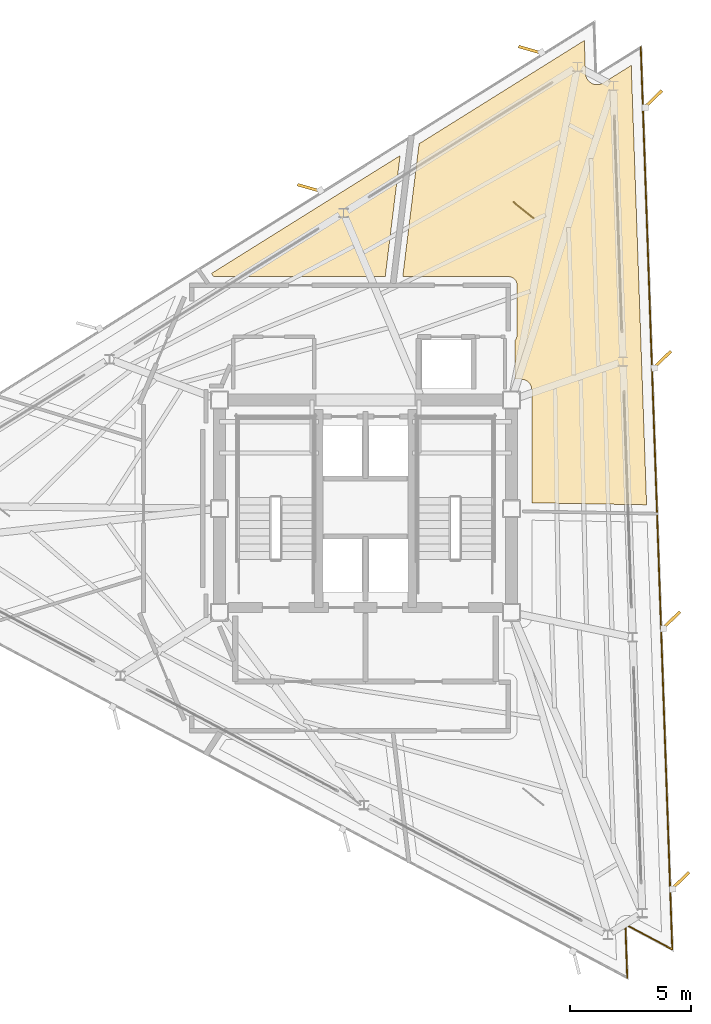
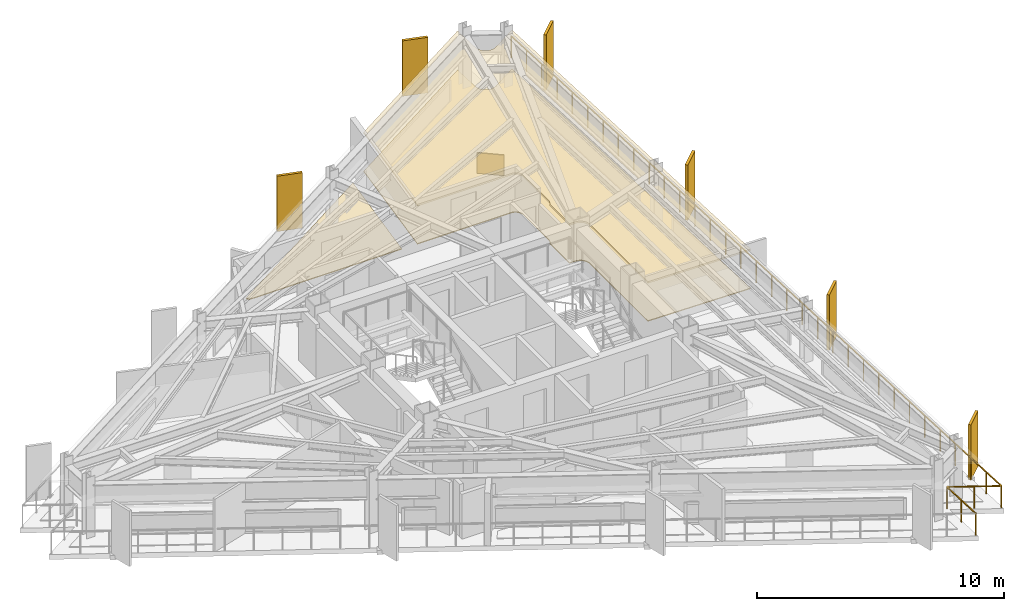
# One storey, part 13 of 13: 6 shading devices, 4 coverings, 1 railing.
"""IFC4 building model written with IfcOpenShell, lengths in metres."""

import ifcopenshell
import ifcopenshell.guid

model = None  # the IFC model being written
_history = None  # IfcOwnerHistory: only IFC2X3 demands one
_inside = {}  # id of a spatial element -> (the spatial element, [elements in it])
_under = {}  # id of a project, library or spatial element -> (it, [spatial elements below it])
_declared = {}  # id of a project -> (the project, [libraries it declares])
_typed = {}  # id of a type object -> (the type object, [elements of that type])
_made_of = {}  # id of a material, layer set ... -> (it, [elements and type objects made of it])


def new_model(schema):
    """Start an empty IFC model of exactly this schema.

    Asked for "IFC4X3", IfcOpenShell would pick the latest addendum, in which some entities
    have other attributes; the version numbers below select the first issue.
    IFC2X3 requires an IfcOwnerHistory on every rooted entity: one is made here for all.
    """
    global model, _history
    if schema == "IFC4X3":
        model = ifcopenshell.file(schema_version=(4, 3, 0, 0))
    else:
        model = ifcopenshell.file(schema=schema)
    _inside.clear()
    _under.clear()
    _declared.clear()
    _typed.clear()
    _made_of.clear()
    _history = None
    if model.schema == "IFC2X3":
        org = make("IfcOrganization", Name="unknown")
        user = make(
            "IfcPersonAndOrganization",
            ThePerson=make("IfcPerson", FamilyName="unknown"),
            TheOrganization=org,
        )
        app = make(
            "IfcApplication",
            ApplicationDeveloper=org,
            Version="unknown",
            ApplicationFullName="unknown",
            ApplicationIdentifier="unknown",
        )
        _history = make(
            "IfcOwnerHistory",
            OwningUser=user,
            OwningApplication=app,
            ChangeAction="ADDED",
            CreationDate=0,
        )
    return model


def make(cls, **values):
    """One entity of the class cls with the attributes given. An attribute that is None is left unset."""
    return model.create_entity(
        cls, **{name: value for name, value in values.items() if value is not None}
    )


def rooted(cls, **values):
    """An entity with a GlobalId (a new one), such as an element, a storey or a relation."""
    return make(cls, GlobalId=ifcopenshell.guid.new(), OwnerHistory=_history, **values)


def si_unit(unit_type, name, prefix=None):
    """IfcSIUnit, for example si_unit("LENGTHUNIT", "METRE", prefix="MILLI")."""
    return make("IfcSIUnit", UnitType=unit_type, Prefix=prefix, Name=name)


def assignment(units):
    """IfcUnitAssignment: the units of a project."""
    return None if units is None else make("IfcUnitAssignment", Units=units)


def point(xyz):
    """IfcCartesianPoint."""
    return None if xyz is None else make("IfcCartesianPoint", Coordinates=xyz)


def direction(xyz):
    """IfcDirection."""
    return None if xyz is None else make("IfcDirection", DirectionRatios=xyz)


def frame(location, z_axis=None, x_axis=None):
    """IfcAxis2Placement3D, a coordinate frame: its origin and axes. An axis left out is left unset."""
    return make(
        "IfcAxis2Placement3D",
        Location=point(location),
        Axis=direction(z_axis),
        RefDirection=direction(x_axis),
    )


def frame_2d(location, x_axis=None):
    """IfcAxis2Placement2D, a coordinate frame in the plane: its origin and x axis."""
    return make(
        "IfcAxis2Placement2D", Location=point(location), RefDirection=direction(x_axis)
    )


def origin():
    """The frame at (0, 0, 0) with its axes left unset."""
    return frame((0.0, 0.0, 0.0))


def origin_2d():
    """The frame at (0, 0) in the plane with its x axis left unset."""
    return frame_2d((0.0, 0.0))


def place(relative_to, where):
    """IfcLocalPlacement: puts the frame where relative to a parent placement (None: the world)."""
    return make(
        "IfcLocalPlacement", PlacementRelTo=relative_to, RelativePlacement=where
    )


def context(
    kind, dimensions, precision=None, world=None, true_north=None, identifier=None
):
    """IfcGeometricRepresentationContext, for example the 3D "Model" context."""
    return make(
        "IfcGeometricRepresentationContext",
        ContextIdentifier=identifier,
        ContextType=kind,
        CoordinateSpaceDimension=dimensions,
        Precision=precision,
        WorldCoordinateSystem=world,
        TrueNorth=true_north,
    )


def subcontext(parent, identifier, kind, view, scale=None):
    """IfcGeometricRepresentationSubContext, for example "Body" below "Model"."""
    return make(
        "IfcGeometricRepresentationSubContext",
        ContextIdentifier=identifier,
        ContextType=kind,
        ParentContext=parent,
        TargetScale=scale,
        TargetView=view,
    )


def project(units=None, contexts=None):
    """IfcProject with its units and contexts."""
    return rooted(
        "IfcProject",
        Name="project",
        RepresentationContexts=contexts,
        UnitsInContext=assignment(units),
    )


def spatial(cls, under=None, at=None, **own):
    """A site, building, storey or space (cls), placed at a placement, below another one or the project."""
    s = rooted(cls, ObjectPlacement=at, **own)
    if under is not None:
        _under.setdefault(under.id(), (under, []))[1].append(s)
    return s


def polyline(points):
    """IfcPolyline through the points."""
    return make("IfcPolyline", Points=[point(p) for p in points])


def profile(cls, at=None, kind="AREA", **sizes):
    """A parametric profile (cls). Its sizes go by their IFC names, for example OverallWidth=200.0."""
    return make(cls, ProfileType=kind, Position=at, **sizes)


def rectangle(**sizes):
    """IfcRectangleProfileDef."""
    return profile("IfcRectangleProfileDef", **sizes)


def outline(outer, holes=None, kind="AREA"):
    """IfcArbitraryClosedProfileDef: a profile drawn as a closed curve; with holes, ...WithVoids."""
    if holes is None:
        return make("IfcArbitraryClosedProfileDef", ProfileType=kind, OuterCurve=outer)
    return make(
        "IfcArbitraryProfileDefWithVoids",
        ProfileType=kind,
        OuterCurve=outer,
        InnerCurves=holes,
    )


def extrude(swept, where, along, depth):
    """IfcExtrudedAreaSolid: the profile swept, set in the frame where, extruded along a direction by depth."""
    return make(
        "IfcExtrudedAreaSolid",
        SweptArea=swept,
        Position=where,
        ExtrudedDirection=direction(along),
        Depth=depth,
    )


def shape(context_of_items, identifier, shape_type, items):
    """IfcShapeRepresentation: the items that make up one representation, for example the "Body"."""
    return make(
        "IfcShapeRepresentation",
        ContextOfItems=context_of_items,
        RepresentationIdentifier=identifier,
        RepresentationType=shape_type,
        Items=items,
    )


def material(Name=None, Category=None):
    """IfcMaterial."""
    return make("IfcMaterial", Name=Name, Category=Category)


def layer(
    of_material, thickness, ventilated=None, Name=None, Category=None, Priority=None
):
    """IfcMaterialLayer: one layer of a wall or slab, of a material (None: an air gap)."""
    return make(
        "IfcMaterialLayer",
        Material=of_material,
        LayerThickness=thickness,
        IsVentilated=ventilated,
        Name=Name,
        Category=Category,
        Priority=Priority,
    )


def layer_set(layers, Name=None):
    """IfcMaterialLayerSet."""
    return make("IfcMaterialLayerSet", MaterialLayers=layers, LayerSetName=Name)


def made_of(thing, what):
    """Note that an element or type object is made of a material, layer set ...; save() writes the relation."""
    if what is not None:
        _made_of.setdefault(what.id(), (what, []))[1].append(thing)
    return thing


def type_object(cls, material=None, **own):
    """A type object (cls), such as IfcWallType, which elements share."""
    return made_of(rooted(cls, **own), material)


def element(
    cls,
    number,
    at=None,
    inside=None,
    cuts=None,
    type_object=None,
    material=None,
    context=None,
    identifier="Body",
    shape_type=None,
    held_by="IfcProductDefinitionShape",
    body=None,
    shapes=None,
    **own,
):
    """One element of the class cls, such as IfcWall. Its Tag is "e" and its number.

    at: its placement. inside: the storey or other place that contains it. cuts: it is an
    opening in that element (IfcRelVoidsElement). A single representation is given by context,
    identifier, shape_type and body (its items); several are given by shapes. held_by: the class
    of the entity that holds the representations. save() writes the other relations.
    """
    e = rooted(cls, Tag="e%d" % number, ObjectPlacement=at, **own)
    if body is not None:
        shapes = [shape(context, identifier, shape_type, body)]
    if shapes is not None:
        e.Representation = make(held_by, Representations=shapes)
    if inside is not None:
        _inside.setdefault(inside.id(), (inside, []))[1].append(e)
    if cuts is not None:
        rooted(
            "IfcRelVoidsElement", RelatingBuildingElement=cuts, RelatedOpeningElement=e
        )
    if type_object is not None:
        _typed.setdefault(type_object.id(), (type_object, []))[1].append(e)
    return made_of(e, material)


def aggregate(whole, parts):
    """IfcRelAggregates: a whole, such as a stair, and the parts it consists of."""
    return rooted("IfcRelAggregates", RelatingObject=whole, RelatedObjects=parts)


def save(model, path):
    """Write the relations noted so far, then the file.

    IfcRelAggregates (storeys below a building ...), IfcRelContainedInSpatialStructure (elements
    in a storey), IfcRelDefinesByType, IfcRelAssociatesMaterial and IfcRelDeclares: one each for
    every whole, place, type object, material and project.
    """
    for whole, parts in _under.values():
        aggregate(whole, parts)
    for where, things in _inside.values():
        rooted(
            "IfcRelContainedInSpatialStructure",
            RelatedElements=things,
            RelatingStructure=where,
        )
    for kind, things in _typed.values():
        rooted("IfcRelDefinesByType", RelatedObjects=things, RelatingType=kind)
    for what, things in _made_of.values():
        rooted("IfcRelAssociatesMaterial", RelatedObjects=things, RelatingMaterial=what)
    for by, libraries in _declared.values():
        rooted("IfcRelDeclares", RelatingContext=by, RelatedDefinitions=libraries)
    model.write(path)


model = new_model("IFC4")

# Units and contexts
model_context = context("Model", 3, precision=1e-05, world=origin(), true_north=direction((0.0, 1.0)))
body_context = subcontext(model_context, "Body", "Model", "MODEL_VIEW")
ifc_project = project(units=[si_unit("LENGTHUNIT", "METRE"), si_unit("AREAUNIT", "SQUARE_METRE"), si_unit("VOLUMEUNIT", "CUBIC_METRE"), si_unit("PLANEANGLEUNIT", "RADIAN"), si_unit("MASSUNIT", "GRAM", prefix="KILO")], contexts=[model_context])

# Site, building, storey
site_placement = place(None, origin())
site = spatial("IfcSite", under=ifc_project, at=site_placement, CompositionType="ELEMENT")
building_placement = place(site_placement, origin())
building = spatial("IfcBuilding", under=site, at=building_placement, Name="Rocaltana Carrier Exchange", CompositionType="ELEMENT")
storey_placement = place(building_placement, frame((0.0, 0.0, 211.840087890625)))
storey = spatial("IfcBuildingStorey", under=building, at=storey_placement, Name="L67", CompositionType="ELEMENT", Elevation=211.840087890625)

# Coverings
ifc_material_1 = material(Name="Honed Bogota Sandstone Tile", Category="masonry")
ifc_layer_1 = layer(ifc_material_1, 0.0400390625)
ifc_layer_set_1 = layer_set([ifc_layer_1], Name="Honed Bogota Sandstone Tile")
covering_type_1 = type_object("IfcCoveringType", Name="Honed Stone Lobby Flooring 40", PredefinedType="FLOORING", material=ifc_layer_set_1)
covering_1_placement = place(storey_placement, origin())
element("IfcCovering", 1, at=covering_1_placement, inside=storey, type_object=covering_type_1, Name="L67 Carrier Peering Suite Finish Floor", PredefinedType="FLOORING", context=body_context, shape_type="SweptSolid", body=[
    extrude(outline(polyline([(6.18994140625, 6.962158203125), (6.206787109375, 6.982421875), (6.21142578125, 6.98876953125), (6.226806640625, 7.01171875), (6.230712890625, 7.018310546875), (6.24365234375, 7.04248046875), (6.2470703125, 7.0498046875), (6.257568359375, 7.0751953125), (6.26025390625, 7.08251953125), (6.268310546875, 7.108642578125), (6.27001953125, 7.116455078125), (6.275390625, 7.143310546875), (6.276611328125, 7.151123046875), (6.279296875, 7.178466796875), (6.27978515625, 7.186279296875), (6.280029296875, 7.199951171875), (6.280029296875, 9.25), (6.27978515625, 9.263671875), (6.279296875, 9.271484375), (6.276611328125, 9.298828125), (6.275390625, 9.306640625), (6.27001953125, 9.33349609375), (6.268310546875, 9.34130859375), (6.26025390625, 9.36767578125), (6.257568359375, 9.375), (6.2470703125, 9.400390625), (6.24365234375, 9.407470703125), (6.230712890625, 9.431640625), (6.226806640625, 9.4384765625), (6.21142578125, 9.461181640625), (6.206787109375, 9.467529296875), (6.189208984375, 9.48876953125), (6.18408203125, 9.49462890625), (6.16455078125, 9.513916015625), (6.15869140625, 9.519287109375), (6.137451171875, 9.53662109375), (6.131103515625, 9.54150390625), (6.1083984375, 9.556640625), (6.101806640625, 9.560791015625), (6.077392578125, 9.57373046875), (6.0703125, 9.576904296875), (6.044921875, 9.58740234375), (6.03759765625, 9.590087890625), (6.01123046875, 9.59814453125), (6.003662109375, 9.60009765625), (5.976806640625, 9.60546875), (5.968994140625, 9.606689453125), (5.941650390625, 9.609375), (5.93359375, 9.609619140625), (5.919921875, 9.610107421875), (1.542724609375, 9.610107421875), (2.218994140625, 15.1171875), (9.067626953125, 19.39697265625), (9.115478515625, 18.029052734375), (9.1162109375, 18.01513671875), (9.117919921875, 17.995361328125), (9.121826171875, 17.9677734375), (9.12548828125, 17.947998046875), (9.1318359375, 17.9208984375), (9.137451171875, 17.90185546875), (9.146484375, 17.87548828125), (9.154052734375, 17.85693359375), (9.166015625, 17.83154296875), (9.175048828125, 17.81396484375), (9.189208984375, 17.789794921875), (9.2001953125, 17.773193359375), (9.216796875, 17.750732421875), (9.2294921875, 17.7353515625), (9.248046875, 17.714599609375), (9.26220703125, 17.700439453125), (9.28271484375, 17.681640625), (9.298095703125, 17.6689453125), (9.320556640625, 17.65234375), (9.337158203125, 17.641357421875), (9.361083984375, 17.626953125), (9.37890625, 17.61767578125), (9.404052734375, 17.605712890625), (9.422607421875, 17.59814453125), (9.44873046875, 17.5888671875), (9.468017578125, 17.583251953125), (9.4951171875, 17.57666015625), (9.5146484375, 17.572998046875), (9.542236328125, 17.569091796875), (9.56201171875, 17.567138671875), (9.590087890625, 17.566162109375), (9.610107421875, 17.56640625), (9.6376953125, 17.56787109375), (9.65771484375, 17.570068359375), (9.685302734375, 17.57470703125), (9.70458984375, 17.57861328125), (9.731689453125, 17.5859375), (9.750732421875, 17.591796875), (9.77685546875, 17.601806640625), (9.795166015625, 17.609619140625), (9.820068359375, 17.6220703125), (9.83740234375, 17.631591796875), (9.849609375, 17.638916015625), (11.01025390625, 18.364013671875), (11.64599609375, 0.15673828125), (6.889892578125, 0.23974609375), (6.889892578125, 4.919921875), (6.8896484375, 4.93359375), (6.888916015625, 4.949462890625), (6.88623046875, 4.976806640625), (6.8837890625, 4.9921875), (6.87841796875, 5.019287109375), (6.874755859375, 5.034423828125), (6.86669921875, 5.060791015625), (6.861572265625, 5.07568359375), (6.850830078125, 5.100830078125), (6.84423828125, 5.114990234375), (6.831298828125, 5.139404296875), (6.8232421875, 5.15283203125), (6.807861328125, 5.17578125), (6.798583984375, 5.188232421875), (6.781005859375, 5.20947265625), (6.7705078125, 5.22119140625), (6.751220703125, 5.240478515625), (6.739501953125, 5.251220703125), (6.71826171875, 5.2685546875), (6.705810546875, 5.27783203125), (6.682861328125, 5.293212890625), (6.66943359375, 5.30126953125), (6.64501953125, 5.314208984375), (6.630859375, 5.32080078125), (6.605712890625, 5.33154296875), (6.5908203125, 5.336669921875), (6.564453125, 5.3447265625), (6.54931640625, 5.348388671875), (6.522216796875, 5.35400390625), (6.5068359375, 5.356201171875), (6.4794921875, 5.35888671875), (6.463623046875, 5.359619140625), (6.449951171875, 5.360107421875), (6.18994140625, 5.360107421875), (6.18994140625, 6.962158203125)])), origin(), (0.0, 0.0, 1.0), 0.039794921875),
])
covering_2_placement = place(storey_placement, origin())
element("IfcCovering", 2, at=covering_2_placement, inside=storey, type_object=covering_type_1, Name="L67 Peering Conference Room Finish Floor", PredefinedType="FLOORING", context=body_context, shape_type="SweptSolid", body=[
    extrude(outline(polyline([(1.43310546875, 14.626220703125), (0.8173828125, 9.610107421875), (-6.28955078125, 9.610107421875), (-6.38232421875, 9.74267578125), (1.43310546875, 14.626220703125)])), origin(), (0.0, 0.0, 1.0), 0.039794921875),
])
ifc_material_2 = material(Name="Anodised Aluminium 6063-T6", Category="aluminium")
ifc_layer_2 = layer(ifc_material_2, 0.0849609375)
ifc_layer_set_2 = layer_set([ifc_layer_2], Name="Anodised Aluminium 6063-T6")
covering_type_2 = type_object("IfcCoveringType", Name="Linear Baffle Acoustic Ceiling 85", PredefinedType="CEILING", material=ifc_layer_set_2)
covering_3_placement = place(storey_placement, frame((0.0, 0.0, 1.8828125)))
element("IfcCovering", 3, at=covering_3_placement, inside=storey, type_object=covering_type_2, Name="L67 Carrier Peering Suite Acoustic Ceiling", PredefinedType="CEILING", context=body_context, shape_type="SweptSolid", body=[
    extrude(outline(polyline([(6.18994140625, 6.962158203125), (6.206787109375, 6.982421875), (6.21142578125, 6.98876953125), (6.226806640625, 7.01171875), (6.230712890625, 7.018310546875), (6.24365234375, 7.04248046875), (6.2470703125, 7.0498046875), (6.257568359375, 7.0751953125), (6.26025390625, 7.08251953125), (6.268310546875, 7.108642578125), (6.27001953125, 7.116455078125), (6.275390625, 7.143310546875), (6.276611328125, 7.151123046875), (6.279296875, 7.178466796875), (6.27978515625, 7.186279296875), (6.280029296875, 7.199951171875), (6.280029296875, 9.25), (6.27978515625, 9.263671875), (6.279296875, 9.271484375), (6.276611328125, 9.298828125), (6.275390625, 9.306640625), (6.27001953125, 9.33349609375), (6.268310546875, 9.34130859375), (6.26025390625, 9.36767578125), (6.257568359375, 9.375), (6.2470703125, 9.400390625), (6.24365234375, 9.407470703125), (6.230712890625, 9.431640625), (6.226806640625, 9.4384765625), (6.21142578125, 9.461181640625), (6.206787109375, 9.467529296875), (6.189208984375, 9.48876953125), (6.18408203125, 9.49462890625), (6.16455078125, 9.513916015625), (6.15869140625, 9.519287109375), (6.137451171875, 9.53662109375), (6.131103515625, 9.54150390625), (6.1083984375, 9.556640625), (6.101806640625, 9.560791015625), (6.077392578125, 9.57373046875), (6.0703125, 9.576904296875), (6.044921875, 9.58740234375), (6.03759765625, 9.590087890625), (6.01123046875, 9.59814453125), (6.003662109375, 9.60009765625), (5.976806640625, 9.60546875), (5.968994140625, 9.606689453125), (5.941650390625, 9.609375), (5.93359375, 9.609619140625), (5.919921875, 9.610107421875), (1.542724609375, 9.610107421875), (2.218994140625, 15.1171875), (9.067626953125, 19.39697265625), (9.115478515625, 18.029052734375), (9.1162109375, 18.01513671875), (9.117919921875, 17.995361328125), (9.121826171875, 17.9677734375), (9.12548828125, 17.947998046875), (9.1318359375, 17.9208984375), (9.137451171875, 17.90185546875), (9.146484375, 17.87548828125), (9.154052734375, 17.85693359375), (9.166015625, 17.83154296875), (9.175048828125, 17.81396484375), (9.189208984375, 17.789794921875), (9.2001953125, 17.773193359375), (9.216796875, 17.750732421875), (9.2294921875, 17.7353515625), (9.248046875, 17.714599609375), (9.26220703125, 17.700439453125), (9.28271484375, 17.681640625), (9.298095703125, 17.6689453125), (9.320556640625, 17.65234375), (9.337158203125, 17.641357421875), (9.361083984375, 17.626953125), (9.37890625, 17.61767578125), (9.404052734375, 17.605712890625), (9.422607421875, 17.59814453125), (9.44873046875, 17.5888671875), (9.468017578125, 17.583251953125), (9.4951171875, 17.57666015625), (9.5146484375, 17.572998046875), (9.542236328125, 17.569091796875), (9.56201171875, 17.567138671875), (9.590087890625, 17.566162109375), (9.610107421875, 17.56640625), (9.6376953125, 17.56787109375), (9.65771484375, 17.570068359375), (9.685302734375, 17.57470703125), (9.70458984375, 17.57861328125), (9.731689453125, 17.5859375), (9.750732421875, 17.591796875), (9.77685546875, 17.601806640625), (9.795166015625, 17.609619140625), (9.820068359375, 17.6220703125), (9.83740234375, 17.631591796875), (9.849609375, 17.638916015625), (11.01025390625, 18.364013671875), (11.64599609375, 0.15673828125), (6.889892578125, 0.23974609375), (6.889892578125, 4.919921875), (6.8896484375, 4.93359375), (6.888916015625, 4.949462890625), (6.88623046875, 4.976806640625), (6.8837890625, 4.9921875), (6.87841796875, 5.019287109375), (6.874755859375, 5.034423828125), (6.86669921875, 5.060791015625), (6.861572265625, 5.07568359375), (6.850830078125, 5.100830078125), (6.84423828125, 5.114990234375), (6.831298828125, 5.139404296875), (6.8232421875, 5.15283203125), (6.807861328125, 5.17578125), (6.798583984375, 5.188232421875), (6.781005859375, 5.20947265625), (6.7705078125, 5.22119140625), (6.751220703125, 5.240478515625), (6.739501953125, 5.251220703125), (6.71826171875, 5.2685546875), (6.705810546875, 5.27783203125), (6.682861328125, 5.293212890625), (6.66943359375, 5.30126953125), (6.64501953125, 5.314208984375), (6.630859375, 5.32080078125), (6.605712890625, 5.33154296875), (6.5908203125, 5.336669921875), (6.564453125, 5.3447265625), (6.54931640625, 5.348388671875), (6.522216796875, 5.35400390625), (6.5068359375, 5.356201171875), (6.4794921875, 5.35888671875), (6.463623046875, 5.359619140625), (6.449951171875, 5.360107421875), (6.18994140625, 5.360107421875), (6.18994140625, 6.962158203125)])), origin(), (0.0, 0.0, 1.0), 0.085205078125),
])
ifc_material_3 = material(Name="Honed Piedra Muneca Sandstone", Category="masonry")
ifc_layer_3 = layer(ifc_material_3, 0.034912109375)
ifc_layer_set_3 = layer_set([ifc_layer_3], Name="Honed Piedra Muneca Sandstone")
covering_type_3 = type_object("IfcCoveringType", Name="Stone Facade Cladding 35", PredefinedType="CLADDING", material=ifc_layer_set_3)
covering_4_placement = place(storey_placement, frame((6.55029296875, 12.363525390625, 0.0), z_axis=(0.0, 0.0, 1.0), x_axis=(-0.777145961457, 0.62932039105, 0.0)))
element("IfcCovering", 4, at=covering_4_placement, inside=storey, type_object=covering_type_3, Name="L67 Stone Facade Cladding Panel 5", PredefinedType="CLADDING", context=body_context, shape_type="SweptSolid", body=[
    extrude(rectangle(XDim=1.10009765625, YDim=0.034912109375, at=origin_2d()), origin(), (0.0, 0.0, 1.0), 1.050048828125),
])

# Shading devices
ifc_material_4 = material(Name="Honed Bogota Sandstone & Concrete C45/55", Category="masonry")
ifc_layer_4 = layer(ifc_material_4, 0.1201171875)
ifc_layer_set_4 = layer_set([ifc_layer_4], Name="Honed Bogota Sandstone & Concrete C45/55")
shading_device_type = type_object("IfcShadingDeviceType", Name="Upper Sandstone Shading Fin 1050x120", PredefinedType="USERDEFINED", material=ifc_layer_set_4)
for number, where, z_axis, x_axis, name in (
    (5, (13.03125, -15.43017578125, -0.1201171875), (0.0, 0.0, 1.0), (0.719339800339, 0.694658370459, 0.0), "L67 Sandstone Vertical Fin F1-01"),
    (6, (12.654296875, -4.63671875, -0.1201171875), (0.0, 0.0, 1.0), (0.719339800339, 0.694658370459, 0.0), "L67 Sandstone Vertical Fin F1-02"),
    (7, (12.27734375, 6.15673828125, -0.1201171875), (0.0, 0.0, 1.0), (0.719339800339, 0.694658370459, 0.0), "L67 Sandstone Vertical Fin F1-03"),
    (8, (11.900390625, 16.9501953125, -0.1201171875), (0.0, 0.0, 1.0), (0.719339800339, 0.694658370459, 0.0), "L67 Sandstone Vertical Fin F1-04"),
    (9, (6.84716796875, 19.00048828125, -0.1201171875), (0.0, 0.0, 1.0), (-0.961261695938, 0.275637355817, 0.0), "L67 Sandstone Vertical Fin F2-01"),
    (10, (-2.311767578125, 13.27734375, -0.1201171875), (0.0, 0.0, 1.0), (-0.961261695938, 0.275637355817, 0.0), "L67 Sandstone Vertical Fin F2-02"),
):
    element("IfcShadingDevice", number, at=place(storey_placement, frame(where, z_axis=z_axis, x_axis=x_axis)), inside=storey, type_object=shading_device_type, Name=name, ObjectType="FIN", PredefinedType="USERDEFINED", context=body_context, shape_type="SweptSolid", body=[
        extrude(rectangle(XDim=1.050048828125, YDim=0.1201171875, at=origin_2d()), origin(), (0.0, 0.0, 1.0), 2.738037109375),
    ])

# Railing
ifc_material_5 = material(Name="Powder-Coated Aluminium 6063-T6", Category="aluminium")
ifc_layer_5 = layer(ifc_material_5, 0.06005859375)
ifc_layer_set_5 = layer_set([ifc_layer_5], Name="Powder-Coated Aluminium 6063-T6")
railing_type = type_object("IfcRailingType", Name="Wind-Floor & Terrace Perimeter Guardrail 1100", PredefinedType="GUARDRAIL", material=ifc_layer_set_5)
railing_placement = place(storey_placement, frame((11.404541015625, 19.105712890625, 0.0)))
element("IfcRailing", 11, at=railing_placement, inside=storey, type_object=railing_type, Name="L67 Perimeter Balcony Guardrail 3", PredefinedType="GUARDRAIL", context=body_context, shape_type="SweptSolid", body=[
    extrude(rectangle(XDim=0.048095703125, YDim=0.048095703125, at=origin_2d()), frame((0.0, 0.0, 1.076171875), z_axis=(0.034898534283, -0.999390860627, 0.0), x_axis=(0.999390860627, 0.034898534283, 0.0)), (0.0, 0.0, 1.0), 37.39208984375),
    extrude(rectangle(XDim=0.048095703125, YDim=0.048095703125, at=origin_2d()), frame((1.304931640625, -37.369384765625, 1.076171875), z_axis=(-0.882914480843, 0.469533832133, 0.0), x_axis=(-0.469533832133, -0.882914480843, 0.0)), (0.0, 0.0, 1.0), 2.199951171875),
    extrude(rectangle(XDim=0.048095703125, YDim=0.048095703125, at=origin_2d()), frame((-0.637451171875, -36.33642578125, 1.076171875), z_axis=(0.034844472857, -0.999392746978, 0.0), x_axis=(0.999392746978, 0.034844472857, 0.0)), (0.0, 0.0, 1.0), 2.199951171875),
    extrude(rectangle(XDim=0.0419921875, YDim=0.0419921875, at=origin_2d()), origin(), (0.0, 0.0, 1.0), 1.052001953125),
    extrude(rectangle(XDim=0.0419921875, YDim=0.0419921875, at=origin_2d()), frame((0.040771484375, -1.167724609375, 0.0)), (0.0, 0.0, 1.0), 1.052001953125),
    extrude(rectangle(XDim=0.0419921875, YDim=0.0419921875, at=origin_2d()), frame((0.08154296875, -2.335693359375, 0.0)), (0.0, 0.0, 1.0), 1.052001953125),
    extrude(rectangle(XDim=0.0419921875, YDim=0.0419921875, at=origin_2d()), frame((0.122314453125, -3.50341796875, 0.0)), (0.0, 0.0, 1.0), 1.052001953125),
    extrude(rectangle(XDim=0.0419921875, YDim=0.0419921875, at=origin_2d()), frame((0.1630859375, -4.671142578125, 0.0)), (0.0, 0.0, 1.0), 1.052001953125),
    extrude(rectangle(XDim=0.0419921875, YDim=0.0419921875, at=origin_2d()), frame((0.203857421875, -5.8388671875, 0.0)), (0.0, 0.0, 1.0), 1.052001953125),
    extrude(rectangle(XDim=0.0419921875, YDim=0.0419921875, at=origin_2d()), frame((0.24462890625, -7.0068359375, 0.0)), (0.0, 0.0, 1.0), 1.052001953125),
    extrude(rectangle(XDim=0.0419921875, YDim=0.0419921875, at=origin_2d()), frame((0.285400390625, -8.174560546875, 0.0)), (0.0, 0.0, 1.0), 1.052001953125),
    extrude(rectangle(XDim=0.0419921875, YDim=0.0419921875, at=origin_2d()), frame((0.326171875, -9.34228515625, 0.0)), (0.0, 0.0, 1.0), 1.052001953125),
    extrude(rectangle(XDim=0.0419921875, YDim=0.0419921875, at=origin_2d()), frame((0.366943359375, -10.51025390625, 0.0)), (0.0, 0.0, 1.0), 1.052001953125),
    extrude(rectangle(XDim=0.0419921875, YDim=0.0419921875, at=origin_2d()), frame((0.40771484375, -11.677978515625, 0.0)), (0.0, 0.0, 1.0), 1.052001953125),
    extrude(rectangle(XDim=0.0419921875, YDim=0.0419921875, at=origin_2d()), frame((0.448486328125, -12.845703125, 0.0)), (0.0, 0.0, 1.0), 1.052001953125),
    extrude(rectangle(XDim=0.0419921875, YDim=0.0419921875, at=origin_2d()), frame((0.4892578125, -14.013427734375, 0.0)), (0.0, 0.0, 1.0), 1.052001953125),
    extrude(rectangle(XDim=0.0419921875, YDim=0.0419921875, at=origin_2d()), frame((0.530029296875, -15.181396484375, 0.0)), (0.0, 0.0, 1.0), 1.052001953125),
    extrude(rectangle(XDim=0.0419921875, YDim=0.0419921875, at=origin_2d()), frame((0.57080078125, -16.34912109375, 0.0)), (0.0, 0.0, 1.0), 1.052001953125),
    extrude(rectangle(XDim=0.0419921875, YDim=0.0419921875, at=origin_2d()), frame((0.611572265625, -17.516845703125, 0.0)), (0.0, 0.0, 1.0), 1.052001953125),
    extrude(rectangle(XDim=0.0419921875, YDim=0.0419921875, at=origin_2d()), frame((0.65234375, -18.6845703125, 0.0)), (0.0, 0.0, 1.0), 1.052001953125),
    extrude(rectangle(XDim=0.0419921875, YDim=0.0419921875, at=origin_2d()), frame((0.693359375, -19.8525390625, 0.0)), (0.0, 0.0, 1.0), 1.052001953125),
    extrude(rectangle(XDim=0.0419921875, YDim=0.0419921875, at=origin_2d()), frame((0.734130859375, -21.020263671875, 0.0)), (0.0, 0.0, 1.0), 1.052001953125),
    extrude(rectangle(XDim=0.0419921875, YDim=0.0419921875, at=origin_2d()), frame((0.77490234375, -22.18798828125, 0.0)), (0.0, 0.0, 1.0), 1.052001953125),
    extrude(rectangle(XDim=0.0419921875, YDim=0.0419921875, at=origin_2d()), frame((0.815673828125, -23.35595703125, 0.0)), (0.0, 0.0, 1.0), 1.052001953125),
    extrude(rectangle(XDim=0.0419921875, YDim=0.0419921875, at=origin_2d()), frame((0.8564453125, -24.523681640625, 0.0)), (0.0, 0.0, 1.0), 1.052001953125),
    extrude(rectangle(XDim=0.0419921875, YDim=0.0419921875, at=origin_2d()), frame((0.897216796875, -25.69140625, 0.0)), (0.0, 0.0, 1.0), 1.052001953125),
    extrude(rectangle(XDim=0.0419921875, YDim=0.0419921875, at=origin_2d()), frame((0.93798828125, -26.859130859375, 0.0)), (0.0, 0.0, 1.0), 1.052001953125),
    extrude(rectangle(XDim=0.0419921875, YDim=0.0419921875, at=origin_2d()), frame((0.978759765625, -28.027099609375, 0.0)), (0.0, 0.0, 1.0), 1.052001953125),
    extrude(rectangle(XDim=0.0419921875, YDim=0.0419921875, at=origin_2d()), frame((1.01953125, -29.19482421875, 0.0)), (0.0, 0.0, 1.0), 1.052001953125),
    extrude(rectangle(XDim=0.0419921875, YDim=0.0419921875, at=origin_2d()), frame((1.060302734375, -30.362548828125, 0.0)), (0.0, 0.0, 1.0), 1.052001953125),
    extrude(rectangle(XDim=0.0419921875, YDim=0.0419921875, at=origin_2d()), frame((1.10107421875, -31.530517578125, 0.0)), (0.0, 0.0, 1.0), 1.052001953125),
    extrude(rectangle(XDim=0.0419921875, YDim=0.0419921875, at=origin_2d()), frame((1.141845703125, -32.6982421875, 0.0)), (0.0, 0.0, 1.0), 1.052001953125),
    extrude(rectangle(XDim=0.0419921875, YDim=0.0419921875, at=origin_2d()), frame((1.1826171875, -33.865966796875, 0.0)), (0.0, 0.0, 1.0), 1.052001953125),
    extrude(rectangle(XDim=0.0419921875, YDim=0.0419921875, at=origin_2d()), frame((1.223388671875, -35.03369140625, 0.0)), (0.0, 0.0, 1.0), 1.052001953125),
    extrude(rectangle(XDim=0.0419921875, YDim=0.0419921875, at=origin_2d()), frame((1.26416015625, -36.20166015625, 0.0)), (0.0, 0.0, 1.0), 1.052001953125),
    extrude(rectangle(XDim=0.0419921875, YDim=0.0419921875, at=origin_2d()), frame((1.304931640625, -37.369384765625, 0.0)), (0.0, 0.0, 1.0), 1.052001953125),
    extrude(rectangle(XDim=0.0419921875, YDim=0.0419921875, at=origin_2d()), frame((0.333740234375, -36.85302734375, 0.0)), (0.0, 0.0, 1.0), 1.052001953125),
    extrude(rectangle(XDim=0.0419921875, YDim=0.0419921875, at=origin_2d()), frame((-0.637451171875, -36.33642578125, 0.0)), (0.0, 0.0, 1.0), 1.052001953125),
    extrude(rectangle(XDim=0.0419921875, YDim=0.0419921875, at=origin_2d()), frame((-0.59912109375, -37.435791015625, 0.0)), (0.0, 0.0, 1.0), 1.052001953125),
    extrude(rectangle(XDim=0.0419921875, YDim=0.0419921875, at=origin_2d()), frame((-0.560791015625, -38.53515625, 0.0)), (0.0, 0.0, 1.0), 1.052001953125),
])

save(model, "model.ifc")
